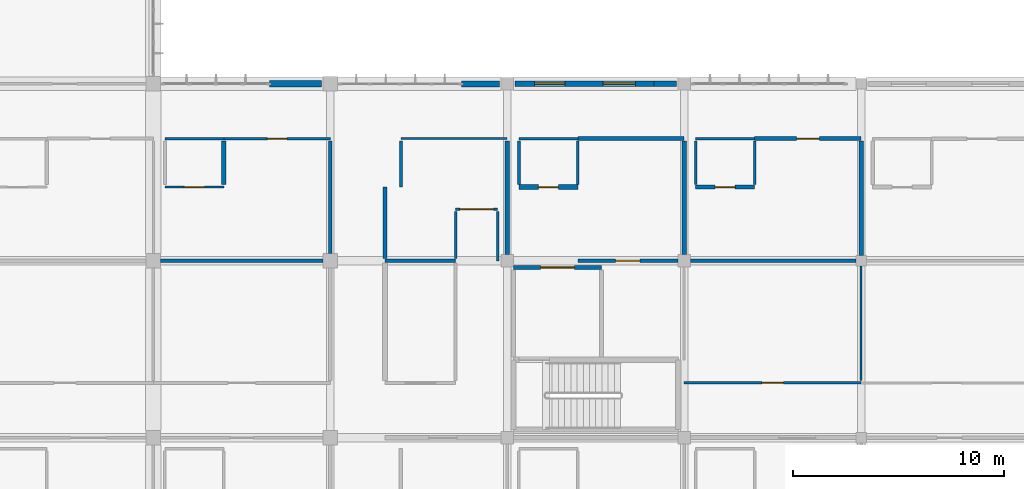
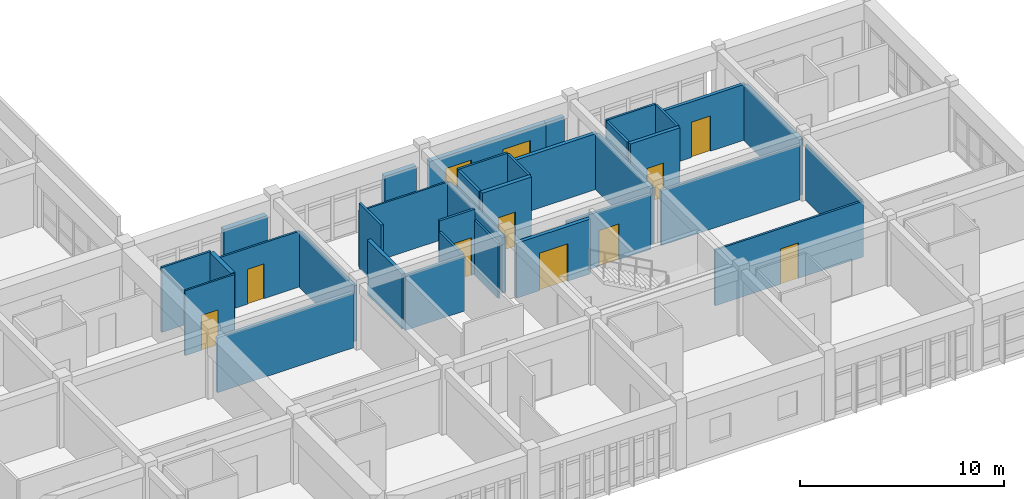
# One storey, part 96 of 119: 35 walls, 9 doors, 2 windows, 11 openings.
"""IFC4 building model written with IfcOpenShell, lengths in metres."""

from ifc_helpers import new_model, si_unit, direction, frame, frame_2d, origin, place, context, subcontext, project, spatial, rectangle, extrude, material, layer, layer_set, type_object, element, fill, save


model = new_model("IFC4")

# Units and contexts
model_context = context("Model", 3, precision=1e-05, world=origin(), true_north=direction((0.0, 1.0)))
body_context = subcontext(model_context, "Body", "Model", "MODEL_VIEW")
ifc_project = project(units=[si_unit("LENGTHUNIT", "METRE"), si_unit("AREAUNIT", "SQUARE_METRE"), si_unit("VOLUMEUNIT", "CUBIC_METRE"), si_unit("PLANEANGLEUNIT", "RADIAN"), si_unit("MASSUNIT", "GRAM", prefix="KILO")], contexts=[model_context])

# Site, building, storey
site_placement = place(None, origin())
site = spatial("IfcSite", under=ifc_project, at=site_placement, CompositionType="ELEMENT")
building_placement = place(site_placement, origin())
building = spatial("IfcBuilding", under=site, at=building_placement, Name="Bramfleet General Hospital", CompositionType="ELEMENT")
storey_placement = place(building_placement, frame((0.0, 0.0, 14.39990234375)))
storey = spatial("IfcBuildingStorey", under=building, at=storey_placement, Name="L03", CompositionType="ELEMENT", Elevation=14.39990234375)

# Walls
ifc_material_1 = material(Name="Precast concrete C40/50", Category="concrete")
ifc_layer_1 = layer(ifc_material_1, 0.294921875, Name="WT-EW-05")
ifc_layer_set_1 = layer_set([ifc_layer_1], Name="Precast concrete C40/50")
wall_type_1 = type_object("IfcWallType", Name="WT-EW-05", PredefinedType="SOLIDWALL", material=ifc_layer_set_1)
wall_1_placement = place(storey_placement, frame((131.52099609375, 25.199951171875, 0.0), z_axis=(0.0, 0.0, 1.0), x_axis=(1.0, 0.0, 0.0)))
element("IfcWall", 1, at=wall_1_placement, inside=storey, type_object=wall_type_1, Name="L03 Exterior Wall 262", PredefinedType="SOLIDWALL", context=body_context, shape_type="SweptSolid", body=[
    extrude(rectangle(XDim=2.4541015625, YDim=0.294921875, at=frame_2d((1.22705078125, 0.0))), origin(), (0.0, 0.0, 1.0), 2.89013671875),
])
ifc_layer_2 = layer(ifc_material_1, 0.280029296875, Name="WT-EW-06")
ifc_layer_set_2 = layer_set([ifc_layer_2], Name="Precast concrete C40/50")
wall_type_2 = type_object("IfcWallType", Name="WT-EW-06", PredefinedType="SOLIDWALL", material=ifc_layer_set_2)
wall_2_placement = place(storey_placement, frame((140.64111328125, 25.199951171875, 0.0), z_axis=(0.0, 0.0, 1.0), x_axis=(1.0, 0.0, 0.0)))
element("IfcWall", 2, at=wall_2_placement, inside=storey, type_object=wall_type_2, Name="L03 Exterior Wall 263", PredefinedType="SOLIDWALL", context=body_context, shape_type="SweptSolid", body=[
    extrude(rectangle(XDim=1.783935546875, YDim=0.280029296875, at=frame_2d((0.89208984375, 0.0))), origin(), (0.0, 0.0, 1.0), 2.89013671875),
])

# Wall, openings, windows
ifc_layer_3 = layer(ifc_material_1, 0.264892578125, Name="WT-EW-07")
ifc_layer_set_3 = layer_set([ifc_layer_3], Name="Precast concrete C40/50")
wall_type_3 = type_object("IfcWallType", Name="WT-EW-07", PredefinedType="SOLIDWALL", material=ifc_layer_set_3)
wall_3_placement = place(storey_placement, frame((143.175048828125, 25.199951171875, 0.0), z_axis=(0.0, 0.0, 1.0), x_axis=(1.0, 0.0, 0.0)))
wall_3 = element("IfcWall", 3, at=wall_3_placement, inside=storey, type_object=wall_type_3, Name="L03 Exterior Wall 264", PredefinedType="SOLIDWALL", context=body_context, shape_type="SweptSolid", body=[
    extrude(rectangle(XDim=6.5859375, YDim=0.264892578125, at=frame_2d((3.29296875, 0.0))), origin(), (0.0, 0.0, 1.0), 2.89013671875),
])
opening_1_placement = place(wall_3_placement, frame((0.92138671875, 0.0, 0.85009765625)))
opening_1 = element("IfcOpeningElement", 4, at=opening_1_placement, cuts=wall_3, Name="Opening W-06", PredefinedType="OPENING", context=body_context, shape_type="SweptSolid", body=[
    extrude(rectangle(XDim=1.449951171875, YDim=1.300048828125, at=frame_2d((0.72509765625, 0.64990234375))), frame((0.0, 0.142333984375, 0.0), z_axis=(0.0, -1.0, 0.0), x_axis=(1.0, 0.0, 0.0)), (0.0, 0.0, 1.0), 0.284912109375),
])
opening_2_placement = place(wall_3_placement, frame((4.16455078125, 0.0, 0.85009765625)))
opening_2 = element("IfcOpeningElement", 5, at=opening_2_placement, cuts=wall_3, Name="Opening W-07", PredefinedType="OPENING", context=body_context, shape_type="SweptSolid", body=[
    extrude(rectangle(XDim=1.550048828125, YDim=1.300048828125, at=frame_2d((0.77490234375, 0.64990234375))), frame((0.0, 0.142333984375, 0.0), z_axis=(0.0, -1.0, 0.0), x_axis=(1.0, 0.0, 0.0)), (0.0, 0.0, 1.0), 0.284912109375),
])
ifc_material_2 = material(Name="Anodised aluminium and low-E triple glazing", Category="aluminium")
window_type_1 = type_object("IfcWindowType", Name="WIN-W-06", PartitioningType="SINGLE_PANEL", PredefinedType="WINDOW", material=ifc_material_2)
window_1_placement = place(opening_1_placement, origin())
window_1 = element("IfcWindow", 6, at=window_1_placement, inside=storey, type_object=window_type_1, Name="L03 Facade Window WIN-L03-264-1", OverallHeight=1.300048828125, OverallWidth=1.449951171875, PartitioningType="SINGLE_PANEL", PredefinedType="WINDOW", context=body_context, shape_type="SweptSolid", body=[
    extrude(rectangle(XDim=1.449951171875, YDim=1.300048828125, at=frame_2d((0.72509765625, 0.64990234375))), frame((0.0, 0.030029296875, 0.0), z_axis=(0.0, -1.0, 0.0), x_axis=(1.0, 0.0, 0.0)), (0.0, 0.0, 1.0), 0.06005859375),
])
fill(opening_1, window_1)
window_type_2 = type_object("IfcWindowType", Name="WIN-W-07", PartitioningType="SINGLE_PANEL", PredefinedType="WINDOW", material=ifc_material_2)
window_2_placement = place(opening_2_placement, origin())
window_2 = element("IfcWindow", 7, at=window_2_placement, inside=storey, type_object=window_type_2, Name="L03 Facade Window WIN-L03-264-2", OverallHeight=1.300048828125, OverallWidth=1.550048828125, PartitioningType="SINGLE_PANEL", PredefinedType="WINDOW", context=body_context, shape_type="SweptSolid", body=[
    extrude(rectangle(XDim=1.550048828125, YDim=1.300048828125, at=frame_2d((0.77490234375, 0.64990234375))), frame((0.0, 0.030029296875, 0.0), z_axis=(0.0, -1.0, 0.0), x_axis=(1.0, 0.0, 0.0)), (0.0, 0.0, 1.0), 0.06005859375),
])
fill(opening_2, window_2)

# Wall
ifc_layer_4 = layer(ifc_material_1, 0.25, Name="WT-EW-08")
ifc_layer_set_4 = layer_set([ifc_layer_4], Name="Precast concrete C40/50")
wall_type_4 = type_object("IfcWallType", Name="WT-EW-08", PredefinedType="SOLIDWALL", material=ifc_layer_set_4)
wall_4_placement = place(storey_placement, frame((149.760986328125, 25.199951171875, 0.0), z_axis=(0.0, 0.0, 1.0), x_axis=(1.0, 0.0, 0.0)))
element("IfcWall", 8, at=wall_4_placement, inside=storey, type_object=wall_type_4, Name="L03 Exterior Wall 265", PredefinedType="SOLIDWALL", context=body_context, shape_type="SweptSolid", body=[
    extrude(rectangle(XDim=1.06396484375, YDim=0.25, at=frame_2d((0.531982421875, 0.0))), origin(), (0.0, 0.0, 1.0), 2.89013671875),
])

# Wall, opening, door
ifc_material_3 = material(Name="Concrete C35/45", Category="concrete")
ifc_layer_5 = layer(ifc_material_3, 0.219970703125, Name="WT-IW-01")
ifc_layer_set_5 = layer_set([ifc_layer_5], Name="Concrete C35/45")
wall_type_5 = type_object("IfcWallType", Name="WT-IW-01", PredefinedType="PARTITIONING", material=ifc_layer_set_5)
wall_5_placement = place(storey_placement, frame((143.35009765625, 20.300048828125, 0.0), z_axis=(0.0, 0.0, 1.0), x_axis=(1.0, 0.0, 0.0)))
wall_5 = element("IfcWall", 9, at=wall_5_placement, inside=storey, type_object=wall_type_5, Name="L03 Interior Partition IW-L03-2497", PredefinedType="PARTITIONING", context=body_context, shape_type="SweptSolid", body=[
    extrude(rectangle(XDim=2.7998046875, YDim=0.219970703125, at=frame_2d((1.39990234375, 0.0))), origin(), (0.0, 0.0, 1.0), 3.89013671875),
])
opening_3_placement = place(wall_5_placement, frame((0.925048828125, 0.0, 0.0)))
opening_3 = element("IfcOpeningElement", 10, at=opening_3_placement, cuts=wall_5, Name="Opening D1197", PredefinedType="OPENING", context=body_context, shape_type="SweptSolid", body=[
    extrude(rectangle(XDim=0.949951171875, YDim=2.10009765625, at=frame_2d((0.47509765625, 1.050048828125))), frame((0.0, 0.119873046875, 0.0), z_axis=(0.0, -1.0, 0.0), x_axis=(1.0, 0.0, 0.0)), (0.0, 0.0, 1.0), 0.239990234375),
])
ifc_material_4 = material(Name="Stainless steel and acoustic timber leaf", Category="steel")
door_type_1 = type_object("IfcDoorType", Name="DR-D-10", OperationType="NOTDEFINED", PredefinedType="DOOR", material=ifc_material_4)
door_1_placement = place(opening_3_placement, origin())
door_1 = element("IfcDoor", 11, at=door_1_placement, inside=storey, type_object=door_type_1, Name="Paediatric En-Suite Bathroom L03-1702 Door D1197", OperationType="SINGLE_SWING_LEFT", OverallHeight=2.10009765625, OverallWidth=0.949951171875, PredefinedType="DOOR", context=body_context, shape_type="SweptSolid", body=[
    extrude(rectangle(XDim=0.949951171875, YDim=2.10009765625, at=frame_2d((0.47509765625, 1.050048828125))), frame((0.0, 0.02490234375, 0.0), z_axis=(0.0, -1.0, 0.0), x_axis=(1.0, 0.0, 0.0)), (0.0, 0.0, 1.0), 0.050048828125),
])
fill(opening_3, door_1)

# Walls
wall_6_placement = place(storey_placement, frame((129.35009765625, 20.4150390625, 0.0), z_axis=(0.0, 0.0, 1.0), x_axis=(0.0, 1.0, 0.0)))
element("IfcWall", 12, at=wall_6_placement, inside=storey, type_object=wall_type_5, Name="L03 Interior Partition IW-L03-3013", PredefinedType="PARTITIONING", context=body_context, shape_type="SweptSolid", body=[
    extrude(rectangle(XDim=2.070068359375, YDim=0.219970703125, at=frame_2d((1.03515625, 0.0))), origin(), (0.0, 0.0, 1.0), 3.89013671875),
])
for number, where, z_axis, x_axis, name in (
    (13, (142.800048828125, 17.094970703125, 0.0), (0.0, 0.0, 1.0), (0.0, 1.0, 0.0), "L03 Interior Partition IW-L03-3037"),
    (14, (151.199951171875, 17.094970703125, 0.0), (0.0, 0.0, 1.0), (0.0, 1.0, 0.0), "L03 Interior Partition IW-L03-3049"),
):
    element("IfcWall", number, at=place(storey_placement, frame(where, z_axis=z_axis, x_axis=x_axis)), inside=storey, type_object=wall_type_5, Name=name, PredefinedType="PARTITIONING", context=body_context, shape_type="SweptSolid", body=[
        extrude(rectangle(XDim=5.39013671875, YDim=0.219970703125, at=frame_2d((2.695068359375, 0.0))), origin(), (0.0, 0.0, 1.0), 3.340087890625),
    ])
wall_7_placement = place(storey_placement, frame((159.60009765625, 17.044921875, 0.0), z_axis=(0.0, 0.0, 1.0), x_axis=(0.0, 1.0, 0.0)))
element("IfcWall", 15, at=wall_7_placement, inside=storey, type_object=wall_type_5, Name="L03 Interior Partition IW-L03-3061", PredefinedType="PARTITIONING", context=body_context, shape_type="SweptSolid", body=[
    extrude(rectangle(XDim=5.440185546875, YDim=0.219970703125, at=frame_2d((2.72021484375, 0.0))), origin(), (0.0, 0.0, 1.0), 3.340087890625),
])

# Wall, opening, door
ifc_layer_6 = layer(ifc_material_3, 0.205078125, Name="WT-IW-02")
ifc_layer_set_6 = layer_set([ifc_layer_6], Name="Concrete C35/45")
wall_type_6 = type_object("IfcWallType", Name="WT-IW-02", PredefinedType="PARTITIONING", material=ifc_layer_set_6)
wall_8_placement = place(storey_placement, frame((143.10009765625, 16.47998046875, 0.0), z_axis=(0.0, 0.0, 1.0), x_axis=(1.0, 0.0, 0.0)))
wall_8 = element("IfcWall", 16, at=wall_8_placement, inside=storey, type_object=wall_type_6, Name="L03 C10 Lobby North Compartment Wall", PredefinedType="PARTITIONING", context=body_context, shape_type="SweptSolid", body=[
    extrude(rectangle(XDim=4.179931640625, YDim=0.205078125, at=frame_2d((2.08984375, 0.0))), origin(), (0.0, 0.0, 1.0), 3.2900390625),
])
opening_4_placement = place(wall_8_placement, frame((1.2900390625, 0.0, 0.0)))
opening_4 = element("IfcOpeningElement", 17, at=opening_4_placement, cuts=wall_8, Name="Opening D0132", PredefinedType="OPENING", context=body_context, shape_type="SweptSolid", body=[
    extrude(rectangle(XDim=1.60009765625, YDim=2.25, at=frame_2d((0.800048828125, 1.125))), frame((0.0, 0.112548828125, 0.0), z_axis=(0.0, -1.0, 0.0), x_axis=(1.0, 0.0, 0.0)), (0.0, 0.0, 1.0), 0.22509765625),
])
door_type_2 = type_object("IfcDoorType", Name="DR-D-04", OperationType="NOTDEFINED", PredefinedType="DOOR", material=ifc_material_4)
door_2_placement = place(opening_4_placement, origin())
door_2 = element("IfcDoor", 18, at=door_2_placement, inside=storey, type_object=door_type_2, Name="L03 C10 Lobby Fire Door D0132", OperationType="DOUBLE_SWING_LEFT", OverallHeight=2.25, OverallWidth=1.60009765625, PredefinedType="DOOR", context=body_context, shape_type="SweptSolid", body=[
    extrude(rectangle(XDim=1.60009765625, YDim=2.25, at=frame_2d((0.800048828125, 1.125))), frame((0.0, 0.02490234375, 0.0), z_axis=(0.0, -1.0, 0.0), x_axis=(1.0, 0.0, 0.0)), (0.0, 0.0, 1.0), 0.050048828125),
])
fill(opening_4, door_2)

wall_9_placement = place(storey_placement, frame((151.75, 20.300048828125, 0.0), z_axis=(0.0, 0.0, 1.0), x_axis=(1.0, 0.0, 0.0)))
wall_9 = element("IfcWall", 19, at=wall_9_placement, inside=storey, type_object=wall_type_6, Name="L03 Interior Partition IW-L03-2498", PredefinedType="PARTITIONING", context=body_context, shape_type="SweptSolid", body=[
    extrude(rectangle(XDim=2.800048828125, YDim=0.205078125, at=frame_2d((1.39990234375, 0.0))), origin(), (0.0, 0.0, 1.0), 3.89013671875),
])
opening_5_placement = place(wall_9_placement, frame((0.925048828125, 0.0, 0.0)))
opening_5 = element("IfcOpeningElement", 20, at=opening_5_placement, cuts=wall_9, Name="Opening D1207", PredefinedType="OPENING", context=body_context, shape_type="SweptSolid", body=[
    extrude(rectangle(XDim=0.949951171875, YDim=2.10009765625, at=frame_2d((0.47509765625, 1.050048828125))), frame((0.0, 0.112548828125, 0.0), z_axis=(0.0, -1.0, 0.0), x_axis=(1.0, 0.0, 0.0)), (0.0, 0.0, 1.0), 0.22509765625),
])
door_3_placement = place(opening_5_placement, origin())
door_3 = element("IfcDoor", 21, at=door_3_placement, inside=storey, type_object=door_type_1, Name="Paediatric En-Suite Bathroom L03-1802 Door D1207", OperationType="SINGLE_SWING_LEFT", OverallHeight=2.10009765625, OverallWidth=0.949951171875, PredefinedType="DOOR", context=body_context, shape_type="SweptSolid", body=[
    extrude(rectangle(XDim=0.949951171875, YDim=2.10009765625, at=frame_2d((0.47509765625, 1.050048828125))), frame((0.0, 0.02490234375, 0.0), z_axis=(0.0, -1.0, 0.0), x_axis=(1.0, 0.0, 0.0)), (0.0, 0.0, 1.0), 0.050048828125),
])
fill(opening_5, door_3)

# Walls
wall_10_placement = place(storey_placement, frame((146.14990234375, 22.60009765625, 0.0), z_axis=(0.0, 0.0, 1.0), x_axis=(1.0, 0.0, 0.0)))
element("IfcWall", 22, at=wall_10_placement, inside=storey, type_object=wall_type_6, Name="L03 Interior Partition IW-L03-2510", PredefinedType="PARTITIONING", context=body_context, shape_type="SweptSolid", body=[
    extrude(rectangle(XDim=5.050048828125, YDim=0.205078125, at=frame_2d((2.52490234375, 0.0))), origin(), (0.0, 0.0, 1.0), 3.340087890625),
])
wall_11_placement = place(storey_placement, frame((137.0, 16.9150390625, 0.0), z_axis=(0.0, 0.0, 1.0), x_axis=(0.0, 1.0, 0.0)))
element("IfcWall", 23, at=wall_11_placement, inside=storey, type_object=wall_type_6, Name="L03 Interior Partition IW-L03-3026", PredefinedType="PARTITIONING", context=body_context, shape_type="SweptSolid", body=[
    extrude(rectangle(XDim=3.385009765625, YDim=0.205078125, at=frame_2d((1.6923828125, 0.0))), origin(), (0.0, 0.0, 1.0), 3.2900390625),
])
ifc_layer_7 = layer(ifc_material_3, 0.179931640625, Name="WT-IW-04")
ifc_layer_set_7 = layer_set([ifc_layer_7], Name="Concrete C35/45")
wall_type_7 = type_object("IfcWallType", Name="WT-IW-04", PredefinedType="PARTITIONING", material=ifc_layer_set_7)
wall_12_placement = place(storey_placement, frame((126.344970703125, 16.800048828125, 0.0), z_axis=(0.0, 0.0, 1.0), x_axis=(1.0, 0.0, 0.0)))
element("IfcWall", 24, at=wall_12_placement, inside=storey, type_object=wall_type_7, Name="L03 Interior Partition IW-L03-2488", PredefinedType="PARTITIONING", context=body_context, shape_type="SweptSolid", body=[
    extrude(rectangle(XDim=7.7099609375, YDim=0.179931640625, at=frame_2d((3.85498046875, 0.0))), origin(), (0.0, 0.0, 1.0), 3.2900390625),
])

# Wall, opening, door
wall_13_placement = place(storey_placement, frame((154.550048828125, 22.60009765625, 0.0), z_axis=(0.0, 0.0, 1.0), x_axis=(1.0, 0.0, 0.0)))
wall_13 = element("IfcWall", 25, at=wall_13_placement, inside=storey, type_object=wall_type_7, Name="L03 Interior Partition IW-L03-2512", PredefinedType="PARTITIONING", context=body_context, shape_type="SweptSolid", body=[
    extrude(rectangle(XDim=5.050048828125, YDim=0.179931640625, at=frame_2d((2.52490234375, 0.0))), origin(), (0.0, 0.0, 1.0), 3.340087890625),
])
opening_6_placement = place(wall_13_placement, frame((1.985107421875, 0.0, 0.0)))
opening_6 = element("IfcOpeningElement", 26, at=opening_6_placement, cuts=wall_13, Name="Opening D1206", PredefinedType="OPENING", context=body_context, shape_type="SweptSolid", body=[
    extrude(rectangle(XDim=1.080078125, YDim=2.1201171875, at=frame_2d((0.5400390625, 1.06005859375))), frame((0.0, 0.099853515625, 0.0), z_axis=(0.0, -1.0, 0.0), x_axis=(1.0, 0.0, 0.0)), (0.0, 0.0, 1.0), 0.199951171875),
])
door_type_3 = type_object("IfcDoorType", Name="DR-D-22", OperationType="NOTDEFINED", PredefinedType="DOOR", material=ifc_material_4)
door_4_placement = place(opening_6_placement, origin())
door_4 = element("IfcDoor", 27, at=door_4_placement, inside=storey, type_object=door_type_3, Name="Paediatric Ward Bedroom L03-1802 Door D1206", OperationType="SINGLE_SWING_LEFT", OverallHeight=2.1201171875, OverallWidth=1.080078125, PredefinedType="DOOR", context=body_context, shape_type="SweptSolid", body=[
    extrude(rectangle(XDim=1.080078125, YDim=2.1201171875, at=frame_2d((0.5400390625, 1.06005859375))), frame((0.0, 0.02490234375, 0.0), z_axis=(0.0, -1.0, 0.0), x_axis=(1.0, 0.0, 0.0)), (0.0, 0.0, 1.0), 0.050048828125),
])
fill(opening_6, door_4)

# Wall
ifc_material_5 = material(Name="Gypsum plasterboard on acoustic steel studs", Category="steel")
ifc_layer_8 = layer(ifc_material_5, 0.169921875, Name="WT-IW-05")
ifc_layer_set_8 = layer_set([ifc_layer_8], Name="Gypsum plasterboard on acoustic steel studs")
wall_type_8 = type_object("IfcWallType", Name="WT-IW-05", PredefinedType="PARTITIONING", material=ifc_layer_set_8)
wall_14_placement = place(storey_placement, frame((137.0, 16.800048828125, 0.0), z_axis=(0.0, 0.0, 1.0), x_axis=(1.0, 0.0, 0.0)))
element("IfcWall", 28, at=wall_14_placement, inside=storey, type_object=wall_type_8, Name="L03 Interior Partition IW-L03-2489", PredefinedType="PARTITIONING", context=body_context, shape_type="SweptSolid", body=[
    extrude(rectangle(XDim=3.35009765625, YDim=0.169921875, at=frame_2d((1.675048828125, 0.0))), origin(), (0.0, 0.0, 1.0), 3.2900390625),
])

# Wall, opening, door
ifc_layer_9 = layer(ifc_material_5, 0.159912109375, Name="WT-IW-06")
ifc_layer_set_9 = layer_set([ifc_layer_9], Name="Gypsum plasterboard on acoustic steel studs")
wall_type_9 = type_object("IfcWallType", Name="WT-IW-06", PredefinedType="PARTITIONING", material=ifc_layer_set_9)
wall_15_placement = place(storey_placement, frame((146.14990234375, 16.800048828125, 0.0), z_axis=(0.0, 0.0, 1.0), x_axis=(1.0, 0.0, 0.0)))
wall_15 = element("IfcWall", 29, at=wall_15_placement, inside=storey, type_object=wall_type_9, Name="L03 Interior Partition IW-L03-2490", PredefinedType="PARTITIONING", context=body_context, shape_type="SweptSolid", body=[
    extrude(rectangle(XDim=4.755126953125, YDim=0.159912109375, at=frame_2d((2.37744140625, 0.0))), origin(), (0.0, 0.0, 1.0), 3.2900390625),
])
opening_7_placement = place(wall_15_placement, frame((1.802490234375, 0.0, 0.0)))
opening_7 = element("IfcOpeningElement", 30, at=opening_7_placement, cuts=wall_15, Name="Opening D1196", PredefinedType="OPENING", context=body_context, shape_type="SweptSolid", body=[
    extrude(rectangle(XDim=1.14990234375, YDim=2.14990234375, at=frame_2d((0.574951171875, 1.074951171875))), frame((0.0, 0.08984375, 0.0), z_axis=(0.0, -1.0, 0.0), x_axis=(1.0, 0.0, 0.0)), (0.0, 0.0, 1.0), 0.179931640625),
])
door_type_4 = type_object("IfcDoorType", Name="DR-D-12", OperationType="NOTDEFINED", PredefinedType="DOOR", material=ifc_material_4)
door_5_placement = place(opening_7_placement, origin())
door_5 = element("IfcDoor", 31, at=door_5_placement, inside=storey, type_object=door_type_4, Name="Paediatric Ward Bedroom L03-1702 Door D1196", OperationType="SINGLE_SWING_LEFT", OverallHeight=2.14990234375, OverallWidth=1.14990234375, PredefinedType="DOOR", context=body_context, shape_type="SweptSolid", body=[
    extrude(rectangle(XDim=1.14990234375, YDim=2.14990234375, at=frame_2d((0.574951171875, 1.074951171875))), frame((0.0, 0.02490234375, 0.0), z_axis=(0.0, -1.0, 0.0), x_axis=(1.0, 0.0, 0.0)), (0.0, 0.0, 1.0), 0.050048828125),
])
fill(opening_7, door_5)

# Walls
wall_16_placement = place(storey_placement, frame((134.39990234375, 17.14501953125, 0.0), z_axis=(0.0, 0.0, 1.0), x_axis=(0.0, 1.0, 0.0)))
element("IfcWall", 32, at=wall_16_placement, inside=storey, type_object=wall_type_9, Name="L03 Interior Partition IW-L03-3018", PredefinedType="PARTITIONING", context=body_context, shape_type="SweptSolid", body=[
    extrude(rectangle(XDim=5.340087890625, YDim=0.159912109375, at=frame_2d((2.669921875, 0.0))), origin(), (0.0, 0.0, 1.0), 3.340087890625),
])
ifc_layer_10 = layer(ifc_material_5, 0.14990234375, Name="WT-IW-07")
ifc_layer_set_10 = layer_set([ifc_layer_10], Name="Gypsum plasterboard on acoustic steel studs")
wall_type_10 = type_object("IfcWallType", Name="WT-IW-07", PredefinedType="PARTITIONING", material=ifc_layer_set_10)
wall_17_placement = place(storey_placement, frame((151.4951171875, 16.800048828125, 0.0), z_axis=(0.0, 0.0, 1.0), x_axis=(1.0, 0.0, 0.0)))
element("IfcWall", 33, at=wall_17_placement, inside=storey, type_object=wall_type_10, Name="L03 Interior Partition IW-L03-2491", PredefinedType="PARTITIONING", context=body_context, shape_type="SweptSolid", body=[
    extrude(rectangle(XDim=7.85986328125, YDim=0.14990234375, at=frame_2d((3.929931640625, 0.0))), origin(), (0.0, 0.0, 1.0), 3.2900390625),
])
ifc_layer_11 = layer(ifc_material_5, 0.139892578125, Name="WT-IW-08")
ifc_layer_set_11 = layer_set([ifc_layer_11], Name="Gypsum plasterboard on acoustic steel studs")
wall_type_11 = type_object("IfcWallType", Name="WT-IW-08", PredefinedType="PARTITIONING", material=ifc_layer_set_11)
wall_18_placement = place(storey_placement, frame((137.75, 20.300048828125, 0.0), z_axis=(0.0, 0.0, 1.0), x_axis=(0.0, 1.0, 0.0)))
element("IfcWall", 34, at=wall_18_placement, inside=storey, type_object=wall_type_11, Name="L03 Interior Partition IW-L03-3032", PredefinedType="PARTITIONING", context=body_context, shape_type="SweptSolid", body=[
    extrude(rectangle(XDim=2.18505859375, YDim=0.139892578125, at=frame_2d((1.092529296875, 0.0))), origin(), (0.0, 0.0, 1.0), 3.89013671875),
])
for number, where, z_axis, x_axis, name in (
    (35, (143.35009765625, 20.4150390625, 0.0), (0.0, 0.0, 1.0), (0.0, 1.0, 0.0), "L03 Interior Partition IW-L03-3044"),
    (36, (151.75, 20.4150390625, 0.0), (0.0, 0.0, 1.0), (0.0, 1.0, 0.0), "L03 Interior Partition IW-L03-3056"),
):
    element("IfcWall", number, at=place(storey_placement, frame(where, z_axis=z_axis, x_axis=x_axis)), inside=storey, type_object=wall_type_11, Name=name, PredefinedType="PARTITIONING", context=body_context, shape_type="SweptSolid", body=[
        extrude(rectangle(XDim=2.070068359375, YDim=0.139892578125, at=frame_2d((1.03515625, 0.0))), origin(), (0.0, 0.0, 1.0), 3.89013671875),
    ])

# Wall, opening, door
ifc_layer_12 = layer(ifc_material_5, 0.1298828125, Name="WT-IW-09")
ifc_layer_set_12 = layer_set([ifc_layer_12], Name="Gypsum plasterboard on acoustic steel studs")
wall_type_12 = type_object("IfcWallType", Name="WT-IW-09", PredefinedType="PARTITIONING", material=ifc_layer_set_12)
wall_19_placement = place(storey_placement, frame((140.35009765625, 19.25, 0.0), z_axis=(0.0, 0.0, 1.0), x_axis=(1.0, 0.0, 0.0)))
wall_19 = element("IfcWall", 37, at=wall_19_placement, inside=storey, type_object=wall_type_12, Name="L03 Interior Partition IW-L03-2493", PredefinedType="PARTITIONING", context=body_context, shape_type="SweptSolid", body=[
    extrude(rectangle(XDim=2.0, YDim=0.1298828125, at=frame_2d((1.0, 0.0))), origin(), (0.0, 0.0, 1.0), 3.89013671875),
])
opening_8_placement = place(wall_19_placement, frame((0.199951171875, 0.0, 0.0)))
opening_8 = element("IfcOpeningElement", 38, at=opening_8_placement, cuts=wall_19, Name="Opening D1188", PredefinedType="OPENING", context=body_context, shape_type="SweptSolid", body=[
    extrude(rectangle(XDim=1.60009765625, YDim=2.25, at=frame_2d((0.800048828125, 1.125))), frame((0.0, 0.074951171875, 0.0), z_axis=(0.0, -1.0, 0.0), x_axis=(1.0, 0.0, 0.0)), (0.0, 0.0, 1.0), 0.14990234375),
])
door_6_placement = place(opening_8_placement, origin())
door_6 = element("IfcDoor", 39, at=door_6_placement, inside=storey, type_object=door_type_2, Name="Paediatric Ward Bedroom L03-1602 Door D1188", OperationType="DOUBLE_SWING_LEFT", OverallHeight=2.25, OverallWidth=1.60009765625, PredefinedType="DOOR", context=body_context, shape_type="SweptSolid", body=[
    extrude(rectangle(XDim=1.60009765625, YDim=2.25, at=frame_2d((0.800048828125, 1.125))), frame((0.0, 0.02490234375, 0.0), z_axis=(0.0, -1.0, 0.0), x_axis=(1.0, 0.0, 0.0)), (0.0, 0.0, 1.0), 0.050048828125),
])
fill(opening_8, door_6)

ifc_layer_13 = layer(ifc_material_5, 0.1201171875, Name="WT-IW-10")
ifc_layer_set_13 = layer_set([ifc_layer_13], Name="Gypsum plasterboard on acoustic steel studs")
wall_type_13 = type_object("IfcWallType", Name="WT-IW-10", PredefinedType="PARTITIONING", material=ifc_layer_set_13)
wall_20_placement = place(storey_placement, frame((151.199951171875, 11.0, 0.0), z_axis=(0.0, 0.0, 1.0), x_axis=(1.0, 0.0, 0.0)))
wall_20 = element("IfcWall", 40, at=wall_20_placement, inside=storey, type_object=wall_type_13, Name="L03 Interior Partition IW-L03-2482", PredefinedType="PARTITIONING", context=body_context, shape_type="SweptSolid", body=[
    extrude(rectangle(XDim=8.400146484375, YDim=0.1201171875, at=frame_2d((4.2001953125, 0.0))), origin(), (0.0, 0.0, 1.0), 3.340087890625),
])
opening_9_placement = place(wall_20_placement, frame((3.68994140625, 0.0, 0.0)))
opening_9 = element("IfcOpeningElement", 41, at=opening_9_placement, cuts=wall_20, Name="Opening D1205", PredefinedType="OPENING", context=body_context, shape_type="SweptSolid", body=[
    extrude(rectangle(XDim=1.02001953125, YDim=2.1201171875, at=frame_2d((0.510009765625, 1.06005859375))), frame((0.0, 0.070068359375, 0.0), z_axis=(0.0, -1.0, 0.0), x_axis=(1.0, 0.0, 0.0)), (0.0, 0.0, 1.0), 0.14013671875),
])
door_type_5 = type_object("IfcDoorType", Name="DR-D-21", OperationType="NOTDEFINED", PredefinedType="DOOR", material=ifc_material_4)
door_7_placement = place(opening_9_placement, origin())
door_7 = element("IfcDoor", 42, at=door_7_placement, inside=storey, type_object=door_type_5, Name="Paediatric Nurse Station and Play Lounge L03-1801 Door D1205", OperationType="SINGLE_SWING_RIGHT", OverallHeight=2.1201171875, OverallWidth=1.02001953125, PredefinedType="DOOR", context=body_context, shape_type="SweptSolid", body=[
    extrude(rectangle(XDim=1.02001953125, YDim=2.1201171875, at=frame_2d((0.510009765625, 1.06005859375))), frame((0.0, 0.02490234375, 0.0), z_axis=(0.0, -1.0, 0.0), x_axis=(1.0, 0.0, 0.0)), (0.0, 0.0, 1.0), 0.050048828125),
])
fill(opening_9, door_7)

# Walls
wall_21_placement = place(storey_placement, frame((126.550048828125, 22.60009765625, 0.0), z_axis=(0.0, 0.0, 1.0), x_axis=(1.0, 0.0, 0.0)))
element("IfcWall", 43, at=wall_21_placement, inside=storey, type_object=wall_type_13, Name="L03 Interior Partition IW-L03-2506", PredefinedType="PARTITIONING", context=body_context, shape_type="SweptSolid", body=[
    extrude(rectangle(XDim=2.800048828125, YDim=0.1201171875, at=frame_2d((1.39990234375, 0.0))), origin(), (0.0, 0.0, 1.0), 3.89013671875),
])
wall_22_placement = place(storey_placement, frame((143.35009765625, 22.60009765625, 0.0), z_axis=(0.0, 0.0, 1.0), x_axis=(1.0, 0.0, 0.0)))
element("IfcWall", 44, at=wall_22_placement, inside=storey, type_object=wall_type_13, Name="L03 Interior Partition IW-L03-2509", PredefinedType="PARTITIONING", context=body_context, shape_type="SweptSolid", body=[
    extrude(rectangle(XDim=2.7998046875, YDim=0.1201171875, at=frame_2d((1.39990234375, 0.0))), origin(), (0.0, 0.0, 1.0), 3.89013671875),
])
wall_23_placement = place(storey_placement, frame((151.75, 22.60009765625, 0.0), z_axis=(0.0, 0.0, 1.0), x_axis=(1.0, 0.0, 0.0)))
element("IfcWall", 45, at=wall_23_placement, inside=storey, type_object=wall_type_13, Name="L03 Interior Partition IW-L03-2511", PredefinedType="PARTITIONING", context=body_context, shape_type="SweptSolid", body=[
    extrude(rectangle(XDim=2.800048828125, YDim=0.1201171875, at=frame_2d((1.39990234375, 0.0))), origin(), (0.0, 0.0, 1.0), 3.89013671875),
])
wall_24_placement = place(storey_placement, frame((140.35009765625, 16.9150390625, 0.0), z_axis=(0.0, 0.0, 1.0), x_axis=(0.0, 1.0, 0.0)))
element("IfcWall", 46, at=wall_24_placement, inside=storey, type_object=wall_type_13, Name="L03 Interior Partition IW-L03-3034", PredefinedType="PARTITIONING", context=body_context, shape_type="SweptSolid", body=[
    extrude(rectangle(XDim=2.219970703125, YDim=0.1201171875, at=frame_2d((1.10986328125, 0.0))), origin(), (0.0, 0.0, 1.0), 3.2900390625),
])
for number, where, z_axis, x_axis, name in (
    (47, (146.14990234375, 20.4150390625, 0.0), (0.0, 0.0, 1.0), (0.0, 1.0, 0.0), "L03 Interior Partition IW-L03-3046"),
    (48, (154.550048828125, 20.4150390625, 0.0), (0.0, 0.0, 1.0), (0.0, 1.0, 0.0), "L03 Interior Partition IW-L03-3058"),
):
    element("IfcWall", number, at=place(storey_placement, frame(where, z_axis=z_axis, x_axis=x_axis)), inside=storey, type_object=wall_type_13, Name=name, PredefinedType="PARTITIONING", context=body_context, shape_type="SweptSolid", body=[
        extrude(rectangle(XDim=2.070068359375, YDim=0.1201171875, at=frame_2d((1.03515625, 0.0))), origin(), (0.0, 0.0, 1.0), 3.89013671875),
    ])

# Wall, opening, door
ifc_layer_14 = layer(ifc_material_5, 0.112060546875, Name="WT-IW-11")
ifc_layer_set_14 = layer_set([ifc_layer_14], Name="Gypsum plasterboard on acoustic steel studs")
wall_type_14 = type_object("IfcWallType", Name="WT-IW-11", PredefinedType="PARTITIONING", material=ifc_layer_set_14)
wall_25_placement = place(storey_placement, frame((129.35009765625, 22.60009765625, 0.0), z_axis=(0.0, 0.0, 1.0), x_axis=(1.0, 0.0, 0.0)))
wall_25 = element("IfcWall", 49, at=wall_25_placement, inside=storey, type_object=wall_type_14, Name="L03 Interior Partition IW-L03-2507", PredefinedType="PARTITIONING", context=body_context, shape_type="SweptSolid", body=[
    extrude(rectangle(XDim=5.0498046875, YDim=0.112060546875, at=frame_2d((2.52490234375, 0.0))), origin(), (0.0, 0.0, 1.0), 3.340087890625),
])
opening_10_placement = place(wall_25_placement, frame((2.06494140625, 0.0, 0.0)))
opening_10 = element("IfcOpeningElement", 50, at=opening_10_placement, cuts=wall_25, Name="Opening D1177", PredefinedType="OPENING", context=body_context, shape_type="SweptSolid", body=[
    extrude(rectangle(XDim=0.919921875, YDim=2.080078125, at=frame_2d((0.4599609375, 1.0400390625))), frame((0.0, 0.06591796875, 0.0), z_axis=(0.0, -1.0, 0.0), x_axis=(1.0, 0.0, 0.0)), (0.0, 0.0, 1.0), 0.132080078125),
])
door_type_6 = type_object("IfcDoorType", Name="DR-D-25", OperationType="NOTDEFINED", PredefinedType="DOOR", material=ifc_material_4)
door_8_placement = place(opening_10_placement, origin())
door_8 = element("IfcDoor", 51, at=door_8_placement, inside=storey, type_object=door_type_6, Name="Paediatric Ward Bedroom L03-1502 Door D1177", OperationType="SINGLE_SWING_RIGHT", OverallHeight=2.080078125, OverallWidth=0.919921875, PredefinedType="DOOR", context=body_context, shape_type="SweptSolid", body=[
    extrude(rectangle(XDim=0.919921875, YDim=2.080078125, at=frame_2d((0.4599609375, 1.0400390625))), frame((0.0, 0.02490234375, 0.0), z_axis=(0.0, -1.0, 0.0), x_axis=(1.0, 0.0, 0.0)), (0.0, 0.0, 1.0), 0.050048828125),
])
fill(opening_10, door_8)

# Wall
wall_26_placement = place(storey_placement, frame((142.35009765625, 16.800048828125, 0.0), z_axis=(0.0, 0.0, 1.0), x_axis=(0.0, 1.0, 0.0)))
element("IfcWall", 52, at=wall_26_placement, inside=storey, type_object=wall_type_14, Name="L03 Interior Partition IW-L03-3035", PredefinedType="PARTITIONING", context=body_context, shape_type="SweptSolid", body=[
    extrude(rectangle(XDim=2.3349609375, YDim=0.112060546875, at=frame_2d((1.16748046875, 0.0))), origin(), (0.0, 0.0, 1.0), 3.2900390625),
])

# Wall, opening, door
ifc_layer_15 = layer(ifc_material_5, 0.10009765625, Name="WT-IW-12")
ifc_layer_set_15 = layer_set([ifc_layer_15], Name="Gypsum plasterboard on acoustic steel studs")
wall_type_15 = type_object("IfcWallType", Name="WT-IW-12", PredefinedType="PARTITIONING", material=ifc_layer_set_15)
wall_27_placement = place(storey_placement, frame((126.550048828125, 20.300048828125, 0.0), z_axis=(0.0, 0.0, 1.0), x_axis=(1.0, 0.0, 0.0)))
wall_27 = element("IfcWall", 53, at=wall_27_placement, inside=storey, type_object=wall_type_15, Name="L03 Interior Partition IW-L03-2496", PredefinedType="PARTITIONING", context=body_context, shape_type="SweptSolid", body=[
    extrude(rectangle(XDim=2.800048828125, YDim=0.10009765625, at=frame_2d((1.39990234375, 0.0))), origin(), (0.0, 0.0, 1.0), 3.89013671875),
])
opening_11_placement = place(wall_27_placement, frame((0.925048828125, 0.0, 0.0)))
opening_11 = element("IfcOpeningElement", 54, at=opening_11_placement, cuts=wall_27, Name="Opening D1178", PredefinedType="OPENING", context=body_context, shape_type="SweptSolid", body=[
    extrude(rectangle(XDim=0.949951171875, YDim=2.10009765625, at=frame_2d((0.47509765625, 1.050048828125))), frame((0.0, 0.06005859375, 0.0), z_axis=(0.0, -1.0, 0.0), x_axis=(1.0, 0.0, 0.0)), (0.0, 0.0, 1.0), 0.1201171875),
])
door_9_placement = place(opening_11_placement, origin())
door_9 = element("IfcDoor", 55, at=door_9_placement, inside=storey, type_object=door_type_1, Name="Paediatric En-Suite Bathroom L03-1502 Door D1178", OperationType="SINGLE_SWING_LEFT", OverallHeight=2.10009765625, OverallWidth=0.949951171875, PredefinedType="DOOR", context=body_context, shape_type="SweptSolid", body=[
    extrude(rectangle(XDim=0.949951171875, YDim=2.10009765625, at=frame_2d((0.47509765625, 1.050048828125))), frame((0.0, 0.02490234375, 0.0), z_axis=(0.0, -1.0, 0.0), x_axis=(1.0, 0.0, 0.0)), (0.0, 0.0, 1.0), 0.050048828125),
])
fill(opening_11, door_9)

# Walls
wall_28_placement = place(storey_placement, frame((137.75, 22.60009765625, 0.0), z_axis=(0.0, 0.0, 1.0), x_axis=(1.0, 0.0, 0.0)))
element("IfcWall", 56, at=wall_28_placement, inside=storey, type_object=wall_type_15, Name="L03 Interior Partition IW-L03-2508", PredefinedType="PARTITIONING", context=body_context, shape_type="SweptSolid", body=[
    extrude(rectangle(XDim=5.050048828125, YDim=0.10009765625, at=frame_2d((2.52490234375, 0.0))), origin(), (0.0, 0.0, 1.0), 3.340087890625),
])
wall_29_placement = place(storey_placement, frame((159.60009765625, 11.114990234375, 0.0), z_axis=(0.0, 0.0, 1.0), x_axis=(0.0, 1.0, 0.0)))
element("IfcWall", 57, at=wall_29_placement, inside=storey, type_object=wall_type_15, Name="L03 Interior Partition IW-L03-3060", PredefinedType="PARTITIONING", context=body_context, shape_type="SweptSolid", body=[
    extrude(rectangle(XDim=5.43994140625, YDim=0.10009765625, at=frame_2d((2.719970703125, 0.0))), origin(), (0.0, 0.0, 1.0), 3.340087890625),
])

save(model, "model.ifc")
